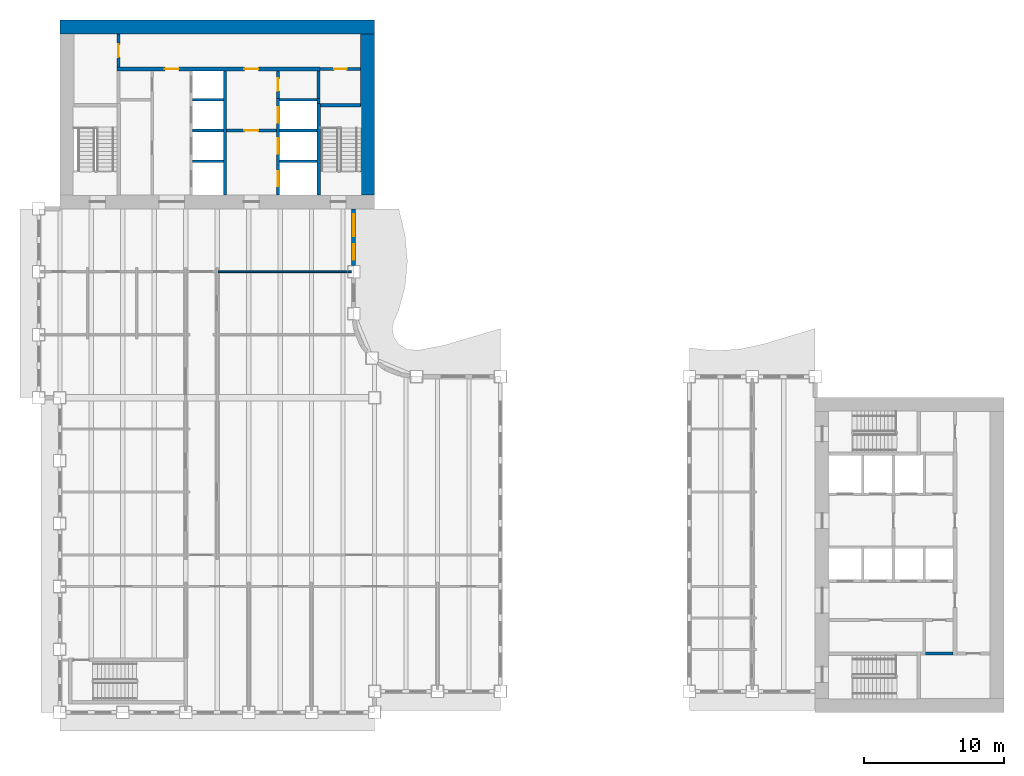
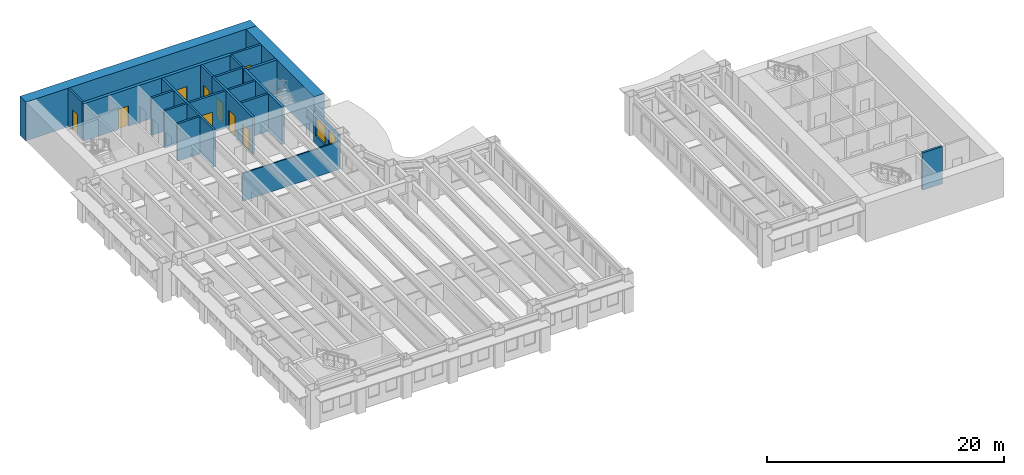
# One storey, part 8 of 13: 22 walls, 9 doors, 2 windows, 11 openings.
"""IFC4 building model written with IfcOpenShell, lengths in metres."""

from ifc_helpers import new_model, si_unit, direction, frame, frame_2d, origin, place, context, subcontext, project, spatial, rectangle, extrude, material, layer, layer_set, type_object, element, fill, save


model = new_model("IFC4")

# Units and contexts
model_context = context("Model", 3, precision=1e-05, world=origin(), true_north=direction((0.0, 1.0)))
body_context = subcontext(model_context, "Body", "Model", "MODEL_VIEW")
ifc_project = project(units=[si_unit("LENGTHUNIT", "METRE"), si_unit("AREAUNIT", "SQUARE_METRE"), si_unit("VOLUMEUNIT", "CUBIC_METRE"), si_unit("PLANEANGLEUNIT", "RADIAN"), si_unit("MASSUNIT", "GRAM", prefix="KILO")], contexts=[model_context])

# Site, building, storey
site_placement = place(None, origin())
site = spatial("IfcSite", under=ifc_project, at=site_placement, CompositionType="ELEMENT")
building_placement = place(site_placement, origin())
building = spatial("IfcBuilding", under=site, at=building_placement, Name="Sennacour Bend Tower", CompositionType="ELEMENT")
storey_placement = place(building_placement, frame((0.0, 0.0, 143.0)))
storey = spatial("IfcBuildingStorey", under=building, at=storey_placement, Name="L32", CompositionType="ELEMENT", Elevation=143.0)

# Walls
ifc_material_1 = material(Name="Concrete C60/75", Category="concrete")
ifc_layer_1 = layer(ifc_material_1, 1.0, Name="Concrete C60/75", Category="concrete")
ifc_layer_set_1 = layer_set([ifc_layer_1], Name="Concrete C60/75")
wall_type_1 = type_object("IfcWallType", Name="Core wall 1000 C60/75", PredefinedType="SHEAR", material=ifc_layer_set_1)
wall_1_placement = place(storey_placement, frame((0.0, 49.0, -0.14990234375), z_axis=(0.0, 0.0, 1.0), x_axis=(1.0, 0.0, 0.0)))
element("IfcWall", 1, at=wall_1_placement, inside=storey, type_object=wall_type_1, Name="Core B wall L32 N", PredefinedType="SHEAR", context=body_context, shape_type="SweptSolid", body=[
    extrude(rectangle(XDim=22.5, YDim=1.0, at=frame_2d((11.25, 0.0))), origin(), (0.0, 0.0, 1.0), 4.0),
])
wall_2_placement = place(storey_placement, frame((22.0, 37.0, -0.14990234375), z_axis=(0.0, 0.0, 1.0), x_axis=(0.0, 1.0, 0.0)))
element("IfcWall", 2, at=wall_2_placement, inside=storey, type_object=wall_type_1, Name="Core B wall L32 E", PredefinedType="SHEAR", context=body_context, shape_type="SweptSolid", body=[
    extrude(rectangle(XDim=11.5, YDim=1.0, at=frame_2d((5.75, 0.0))), origin(), (0.0, 0.0, 1.0), 4.0),
])
ifc_material_2 = material(Name="Plasterboard partition on steel studs", Category="steel")
ifc_layer_2 = layer(ifc_material_2, 0.1201171875, Name="Plasterboard partition on steel studs", Category="steel")
ifc_layer_set_2 = layer_set([ifc_layer_2], Name="Plasterboard partition on steel studs")
wall_type_2 = type_object("IfcWallType", Name="Partition 120", PredefinedType="PARTITIONING", material=ifc_layer_set_2)
wall_3_placement = place(storey_placement, frame((11.31005859375, 31.5, 0.0), z_axis=(0.0, 0.0, 1.0), x_axis=(1.0, 0.0, 0.0)))
element("IfcWall", 3, at=wall_3_placement, inside=storey, type_object=wall_type_2, Name="P-L32-W069ae", PredefinedType="PARTITIONING", context=body_context, shape_type="SweptSolid", body=[
    extrude(rectangle(XDim=9.5400390625, YDim=0.1201171875, at=frame_2d((4.77001953125, 0.0))), origin(), (0.0, 0.0, 1.0), 2.8701171875),
])

# Wall, opening, door
ifc_material_3 = material(Name="Fire-rated plasterboard partition on steel studs", Category="steel")
ifc_layer_3 = layer(ifc_material_3, 0.199951171875, Name="Fire-rated plasterboard partition on steel studs", Category="steel")
ifc_layer_set_3 = layer_set([ifc_layer_3], Name="Fire-rated plasterboard partition on steel studs")
wall_type_3 = type_object("IfcWallType", Name="Rated partition 200", PredefinedType="PARTITIONING", material=ifc_layer_set_3)
wall_4_placement = place(storey_placement, frame((4.199951171875, 46.14990234375, 0.0), z_axis=(0.0, 0.0, 1.0), x_axis=(0.0, 1.0, 0.0)))
wall_4 = element("IfcWall", 4, at=wall_4_placement, inside=storey, type_object=wall_type_3, Name="P-L32-W006b", PredefinedType="PARTITIONING", context=body_context, shape_type="SweptSolid", body=[
    extrude(rectangle(XDim=2.35009765625, YDim=0.199951171875, at=frame_2d((1.175048828125, 0.0))), origin(), (0.0, 0.0, 1.0), 3.85009765625),
])
opening_1_placement = place(wall_4_placement, frame((0.7001953125, 0.0, 0.0)))
opening_1 = element("IfcOpeningElement", 5, at=opening_1_placement, cuts=wall_4, Name="Opening SV", PredefinedType="OPENING", context=body_context, shape_type="SweptSolid", body=[
    extrude(rectangle(XDim=0.89990234375, YDim=2.10009765625, at=frame_2d((0.449951171875, 1.050048828125))), frame((0.0, 0.10986328125, 0.0), z_axis=(0.0, -1.0, 0.0), x_axis=(1.0, 0.0, 0.0)), (0.0, 0.0, 1.0), 0.219970703125),
])
ifc_material_4 = material(Name="Painted steel", Category="steel")
door_type_1 = type_object("IfcDoorType", Name="DR-SERVICE-900", OperationType="NOTDEFINED", PredefinedType="DOOR", material=ifc_material_4)
door_1_placement = place(opening_1_placement, origin())
door_1 = element("IfcDoor", 6, at=door_1_placement, inside=storey, type_object=door_type_1, Name="Door", OperationType="SINGLE_SWING_LEFT", OverallHeight=2.10009765625, OverallWidth=0.89990234375, PredefinedType="DOOR", context=body_context, shape_type="SweptSolid", body=[
    extrude(rectangle(XDim=0.89990234375, YDim=2.10009765625, at=frame_2d((0.449951171875, 1.050048828125))), frame((0.0, 0.02490234375, 0.0), z_axis=(0.0, -1.0, 0.0), x_axis=(1.0, 0.0, 0.0)), (0.0, 0.0, 1.0), 0.050048828125),
])
fill(opening_1, door_1)

wall_5_placement = place(storey_placement, frame((15.60009765625, 43.89990234375, 0.0), z_axis=(0.0, 0.0, 1.0), x_axis=(0.0, 1.0, 0.0)))
wall_5 = element("IfcWall", 7, at=wall_5_placement, inside=storey, type_object=wall_type_3, Name="P-L32-W018", PredefinedType="PARTITIONING", context=body_context, shape_type="SweptSolid", body=[
    extrude(rectangle(XDim=1.9501953125, YDim=0.199951171875, at=frame_2d((0.97509765625, 0.0))), origin(), (0.0, 0.0, 1.0), 3.85009765625),
])
opening_2_placement = place(wall_5_placement, frame((0.525146484375, 0.0, 0.0)))
opening_2 = element("IfcOpeningElement", 8, at=opening_2_placement, cuts=wall_5, Name="Opening SV", PredefinedType="OPENING", context=body_context, shape_type="SweptSolid", body=[
    extrude(rectangle(XDim=0.89990234375, YDim=2.10009765625, at=frame_2d((0.449951171875, 1.050048828125))), frame((0.0, 0.10986328125, 0.0), z_axis=(0.0, -1.0, 0.0), x_axis=(1.0, 0.0, 0.0)), (0.0, 0.0, 1.0), 0.219970703125),
])
door_2_placement = place(opening_2_placement, origin())
door_2 = element("IfcDoor", 9, at=door_2_placement, inside=storey, type_object=door_type_1, Name="Door", OperationType="SINGLE_SWING_RIGHT", OverallHeight=2.10009765625, OverallWidth=0.89990234375, PredefinedType="DOOR", context=body_context, shape_type="SweptSolid", body=[
    extrude(rectangle(XDim=0.89990234375, YDim=2.10009765625, at=frame_2d((0.449951171875, 1.050048828125))), frame((0.0, 0.02490234375, 0.0), z_axis=(0.0, -1.0, 0.0), x_axis=(1.0, 0.0, 0.0)), (0.0, 0.0, 1.0), 0.050048828125),
])
fill(opening_2, door_2)

# Walls
for number, where, z_axis, x_axis, name in (
    (10, (18.5, 43.89990234375, 0.0), (0.0, 0.0, 1.0), (0.0, 1.0, 0.0), "P-L32-W022"),
    (11, (61.89990234375, 4.199951171875, 0.0), (0.0, 0.0, 1.0), (1.0, 0.0, 0.0), "P-L32-W047b"),
):
    element("IfcWall", number, at=place(storey_placement, frame(where, z_axis=z_axis, x_axis=x_axis)), inside=storey, type_object=wall_type_3, Name=name, PredefinedType="PARTITIONING", context=body_context, shape_type="SweptSolid", body=[
        extrude(rectangle(XDim=1.9501953125, YDim=0.199951171875, at=frame_2d((0.97509765625, 0.0))), origin(), (0.0, 0.0, 1.0), 3.85009765625),
    ])

# Wall, opening, door
wall_6_placement = place(storey_placement, frame((18.60009765625, 46.0, 0.0), z_axis=(0.0, 0.0, 1.0), x_axis=(1.0, 0.0, 0.0)))
wall_6 = element("IfcWall", 12, at=wall_6_placement, inside=storey, type_object=wall_type_3, Name="P-L32-W082", PredefinedType="PARTITIONING", context=body_context, shape_type="SweptSolid", body=[
    extrude(rectangle(XDim=2.89990234375, YDim=0.199951171875, at=frame_2d((1.449951171875, 0.0))), origin(), (0.0, 0.0, 1.0), 3.85009765625),
])
opening_3_placement = place(wall_6_placement, frame((1.0, 0.0, 0.0)))
opening_3 = element("IfcOpeningElement", 13, at=opening_3_placement, cuts=wall_6, Name="Opening SV", PredefinedType="OPENING", context=body_context, shape_type="SweptSolid", body=[
    extrude(rectangle(XDim=0.89990234375, YDim=2.10009765625, at=frame_2d((0.449951171875, 1.050048828125))), frame((0.0, 0.10986328125, 0.0), z_axis=(0.0, -1.0, 0.0), x_axis=(1.0, 0.0, 0.0)), (0.0, 0.0, 1.0), 0.219970703125),
])
door_3_placement = place(opening_3_placement, origin())
door_3 = element("IfcDoor", 14, at=door_3_placement, inside=storey, type_object=door_type_1, Name="Door", OperationType="SINGLE_SWING_LEFT", OverallHeight=2.10009765625, OverallWidth=0.89990234375, PredefinedType="DOOR", context=body_context, shape_type="SweptSolid", body=[
    extrude(rectangle(XDim=0.89990234375, YDim=2.10009765625, at=frame_2d((0.449951171875, 1.050048828125))), frame((0.0, 0.02490234375, 0.0), z_axis=(0.0, -1.0, 0.0), x_axis=(1.0, 0.0, 0.0)), (0.0, 0.0, 1.0), 0.050048828125),
])
fill(opening_3, door_3)

ifc_layer_4 = layer(ifc_material_3, 0.199951171875, Name="Fire-rated plasterboard partition on steel studs", Category="steel")
ifc_layer_set_4 = layer_set([ifc_layer_4], Name="Fire-rated plasterboard partition on steel studs")
wall_type_4 = type_object("IfcWallType", Name="Rated partition 200 EI 90", PredefinedType="PARTITIONING", material=ifc_layer_set_4)
wall_7_placement = place(storey_placement, frame((11.89990234375, 41.60009765625, 0.0), z_axis=(0.0, 0.0, 1.0), x_axis=(1.0, 0.0, 0.0)))
wall_7 = element("IfcWall", 15, at=wall_7_placement, inside=storey, type_object=wall_type_4, Name="P-L32-W074", PredefinedType="PARTITIONING", context=body_context, shape_type="SweptSolid", body=[
    extrude(rectangle(XDim=3.60009765625, YDim=0.199951171875, at=frame_2d((1.800048828125, 0.0))), origin(), (0.0, 0.0, 1.0), 3.85009765625),
])
opening_4_placement = place(wall_7_placement, frame((1.300048828125, 0.0, 0.0)))
opening_4 = element("IfcOpeningElement", 16, at=opening_4_placement, cuts=wall_7, Name="Opening FD2", PredefinedType="OPENING", context=body_context, shape_type="SweptSolid", body=[
    extrude(rectangle(XDim=1.0, YDim=2.10009765625, at=frame_2d((0.5, 1.050048828125))), frame((0.0, 0.10986328125, 0.0), z_axis=(0.0, -1.0, 0.0), x_axis=(1.0, 0.0, 0.0)), (0.0, 0.0, 1.0), 0.219970703125),
])
door_type_2 = type_object("IfcDoorType", Name="DR-FFL-1000", OperationType="NOTDEFINED", PredefinedType="DOOR", material=ifc_material_4)
door_4_placement = place(opening_4_placement, origin())
door_4 = element("IfcDoor", 17, at=door_4_placement, inside=storey, type_object=door_type_2, Name="Door", OperationType="SINGLE_SWING_RIGHT", OverallHeight=2.10009765625, OverallWidth=1.0, PredefinedType="DOOR", context=body_context, shape_type="SweptSolid", body=[
    extrude(rectangle(XDim=1.0, YDim=2.10009765625, at=frame_2d((0.5, 1.050048828125))), frame((0.0, 0.02490234375, 0.0), z_axis=(0.0, -1.0, 0.0), x_axis=(1.0, 0.0, 0.0)), (0.0, 0.0, 1.0), 0.050048828125),
])
fill(opening_4, door_4)

# Wall, openings, windows
ifc_material_5 = material(Name="Warm limestone cladding", Category="masonry")
ifc_layer_5 = layer(ifc_material_5, 0.050048828125, Name="Warm limestone cladding", Category="masonry")
ifc_material_6 = material(Name="Precast concrete C40/50", Category="concrete")
ifc_layer_6 = layer(ifc_material_6, 0.25, Name="Precast concrete C40/50", Category="concrete")
ifc_layer_set_5 = layer_set([ifc_layer_5, ifc_layer_6], Name="Precast concrete C40/50 with limestone cladding")
wall_type_5 = type_object("IfcWallType", Name="STONE-CLAD PRECAST SPANDREL 300", PredefinedType="STANDARD", material=ifc_layer_set_5)
wall_8_placement = place(storey_placement, frame((21.0, 31.949951171875, 0.0), z_axis=(0.0, 0.0, 1.0), x_axis=(0.0, 1.0, 0.0)))
wall_8 = element("IfcWall", 18, at=wall_8_placement, inside=storey, type_object=wall_type_5, Name="Stone spandrel and pier wall L32 15.01", PredefinedType="STANDARD", context=body_context, shape_type="SweptSolid", body=[
    extrude(rectangle(XDim=4.050048828125, YDim=0.300048828125, at=frame_2d((2.02490234375, 0.0))), origin(), (0.0, 0.0, 1.0), 3.14892578125),
])
opening_5_placement = place(wall_8_placement, frame((0.39990234375, 0.0, 0.89990234375)))
opening_5 = element("IfcOpeningElement", 19, at=opening_5_placement, cuts=wall_8, Name="Opening W19", PredefinedType="OPENING", context=body_context, shape_type="SweptSolid", body=[
    extrude(rectangle(XDim=1.10009765625, YDim=2.0, at=frame_2d((0.550048828125, 1.0))), frame((0.0, 0.16015625, 0.0), z_axis=(0.0, -1.0, 0.0), x_axis=(1.0, 0.0, 0.0)), (0.0, 0.0, 1.0), 0.320068359375),
])
opening_6_placement = place(wall_8_placement, frame((2.10009765625, 0.0, 0.89990234375)))
opening_6 = element("IfcOpeningElement", 20, at=opening_6_placement, cuts=wall_8, Name="Opening W9", PredefinedType="OPENING", context=body_context, shape_type="SweptSolid", body=[
    extrude(rectangle(XDim=1.550048828125, YDim=2.0, at=frame_2d((0.77490234375, 1.0))), frame((0.0, 0.16015625, 0.0), z_axis=(0.0, -1.0, 0.0), x_axis=(1.0, 0.0, 0.0)), (0.0, 0.0, 1.0), 0.320068359375),
])
ifc_material_7 = material(Name="Clear low-emissivity glass", Category="glass")
window_type_1 = type_object("IfcWindowType", Name="WIN-RIBBON-1100x2000", PartitioningType="SINGLE_PANEL", PredefinedType="WINDOW", material=ifc_material_7)
window_1_placement = place(opening_5_placement, origin())
window_1 = element("IfcWindow", 21, at=window_1_placement, inside=storey, type_object=window_type_1, Name="Ribbon window L32 15.01.0", OverallHeight=2.0, OverallWidth=1.10009765625, PartitioningType="SINGLE_PANEL", PredefinedType="WINDOW", context=body_context, shape_type="SweptSolid", body=[
    extrude(rectangle(XDim=1.10009765625, YDim=2.0, at=frame_2d((0.550048828125, 1.0))), frame((0.0, 0.030029296875, 0.0), z_axis=(0.0, -1.0, 0.0), x_axis=(1.0, 0.0, 0.0)), (0.0, 0.0, 1.0), 0.06005859375),
])
fill(opening_5, window_1)
window_type_2 = type_object("IfcWindowType", Name="WIN-RIBBON-1550x2000", PartitioningType="SINGLE_PANEL", PredefinedType="WINDOW", material=ifc_material_7)
window_2_placement = place(opening_6_placement, origin())
window_2 = element("IfcWindow", 22, at=window_2_placement, inside=storey, type_object=window_type_2, Name="Ribbon window L32 15.01.1", OverallHeight=2.0, OverallWidth=1.550048828125, PartitioningType="SINGLE_PANEL", PredefinedType="WINDOW", context=body_context, shape_type="SweptSolid", body=[
    extrude(rectangle(XDim=1.550048828125, YDim=2.0, at=frame_2d((0.77490234375, 1.0))), frame((0.0, 0.030029296875, 0.0), z_axis=(0.0, -1.0, 0.0), x_axis=(1.0, 0.0, 0.0)), (0.0, 0.0, 1.0), 0.06005859375),
])
fill(opening_6, window_2)

# Wall
ifc_material_8 = material(Name="Concrete C50/60", Category="concrete")
ifc_layer_7 = layer(ifc_material_8, 0.199951171875, Name="Concrete C50/60", Category="concrete")
ifc_layer_set_6 = layer_set([ifc_layer_7], Name="Concrete C50/60")
wall_type_6 = type_object("IfcWallType", Name="Shaft wall 200", PredefinedType="SOLIDWALL", material=ifc_layer_set_6)
wall_9_placement = place(storey_placement, frame((11.800048828125, 37.0, 0.0), z_axis=(0.0, 0.0, 1.0), x_axis=(0.0, 1.0, 0.0)))
element("IfcWall", 23, at=wall_9_placement, inside=storey, type_object=wall_type_6, Name="P-L32-W015", PredefinedType="SOLIDWALL", context=body_context, shape_type="SweptSolid", body=[
    extrude(rectangle(XDim=8.85009765625, YDim=0.199951171875, at=frame_2d((4.425048828125, 0.0))), origin(), (0.0, 0.0, 1.0), 3.85009765625),
])

# Wall, openings, doors
wall_10_placement = place(storey_placement, frame((15.60009765625, 37.0, 0.0), z_axis=(0.0, 0.0, 1.0), x_axis=(0.0, 1.0, 0.0)))
wall_10 = element("IfcWall", 24, at=wall_10_placement, inside=storey, type_object=wall_type_6, Name="P-L32-W017", PredefinedType="SOLIDWALL", context=body_context, shape_type="SweptSolid", body=[
    extrude(rectangle(XDim=6.89990234375, YDim=0.199951171875, at=frame_2d((3.449951171875, 0.0))), origin(), (0.0, 0.0, 1.0), 3.85009765625),
])
opening_7_placement = place(wall_10_placement, frame((0.60009765625, 0.0, 0.011962890625)))
opening_7 = element("IfcOpeningElement", 25, at=opening_7_placement, cuts=wall_10, Name="Opening FLD", PredefinedType="OPENING", context=body_context, shape_type="SweptSolid", body=[
    extrude(rectangle(XDim=1.10009765625, YDim=2.10009765625, at=frame_2d((0.550048828125, 1.050048828125))), frame((0.0, 0.10986328125, 0.0), z_axis=(0.0, -1.0, 0.0), x_axis=(1.0, 0.0, 0.0)), (0.0, 0.0, 1.0), 0.219970703125),
])
opening_8_placement = place(wall_10_placement, frame((2.949951171875, 0.0, 0.011962890625)))
opening_8 = element("IfcOpeningElement", 26, at=opening_8_placement, cuts=wall_10, Name="Opening FLD", PredefinedType="OPENING", context=body_context, shape_type="SweptSolid", body=[
    extrude(rectangle(XDim=1.10009765625, YDim=2.10009765625, at=frame_2d((0.550048828125, 1.050048828125))), frame((0.0, 0.10986328125, 0.0), z_axis=(0.0, -1.0, 0.0), x_axis=(1.0, 0.0, 0.0)), (0.0, 0.0, 1.0), 0.219970703125),
])
opening_9_placement = place(wall_10_placement, frame((5.14990234375, 0.0, 0.011962890625)))
opening_9 = element("IfcOpeningElement", 27, at=opening_9_placement, cuts=wall_10, Name="Opening LD", PredefinedType="OPENING", context=body_context, shape_type="SweptSolid", body=[
    extrude(rectangle(XDim=1.10009765625, YDim=2.10009765625, at=frame_2d((0.550048828125, 1.050048828125))), frame((0.0, 0.10986328125, 0.0), z_axis=(0.0, -1.0, 0.0), x_axis=(1.0, 0.0, 0.0)), (0.0, 0.0, 1.0), 0.219970703125),
])
ifc_material_9 = material(Name="Stainless steel", Category="steel")
door_type_3 = type_object("IfcDoorType", Name="DR-FF-LANDING-1100", OperationType="NOTDEFINED", PredefinedType="DOOR", material=ifc_material_9)
door_5_placement = place(opening_7_placement, origin())
door_5 = element("IfcDoor", 28, at=door_5_placement, inside=storey, type_object=door_type_3, Name="Fire service lift landing door FB1", OperationType="SLIDING_TO_RIGHT", OverallHeight=2.10009765625, OverallWidth=1.10009765625, PredefinedType="DOOR", context=body_context, shape_type="SweptSolid", body=[
    extrude(rectangle(XDim=1.10009765625, YDim=2.10009765625, at=frame_2d((0.550048828125, 1.050048828125))), frame((0.0, 0.02490234375, 0.0), z_axis=(0.0, -1.0, 0.0), x_axis=(1.0, 0.0, 0.0)), (0.0, 0.0, 1.0), 0.050048828125),
])
fill(opening_7, door_5)
door_6_placement = place(opening_8_placement, origin())
door_6 = element("IfcDoor", 29, at=door_6_placement, inside=storey, type_object=door_type_3, Name="Fire service lift landing door FB2", OperationType="SLIDING_TO_LEFT", OverallHeight=2.10009765625, OverallWidth=1.10009765625, PredefinedType="DOOR", context=body_context, shape_type="SweptSolid", body=[
    extrude(rectangle(XDim=1.10009765625, YDim=2.10009765625, at=frame_2d((0.550048828125, 1.050048828125))), frame((0.0, 0.02490234375, 0.0), z_axis=(0.0, -1.0, 0.0), x_axis=(1.0, 0.0, 0.0)), (0.0, 0.0, 1.0), 0.050048828125),
])
fill(opening_8, door_6)
door_type_4 = type_object("IfcDoorType", Name="DR-LANDING-1100", OperationType="NOTDEFINED", PredefinedType="DOOR", material=ifc_material_9)
door_7_placement = place(opening_9_placement, origin())
door_7 = element("IfcDoor", 30, at=door_7_placement, inside=storey, type_object=door_type_4, Name="Lift landing door MB5", OperationType="SLIDING_TO_RIGHT", OverallHeight=2.10009765625, OverallWidth=1.10009765625, PredefinedType="DOOR", context=body_context, shape_type="SweptSolid", body=[
    extrude(rectangle(XDim=1.10009765625, YDim=2.10009765625, at=frame_2d((0.550048828125, 1.050048828125))), frame((0.0, 0.02490234375, 0.0), z_axis=(0.0, -1.0, 0.0), x_axis=(1.0, 0.0, 0.0)), (0.0, 0.0, 1.0), 0.050048828125),
])
fill(opening_9, door_7)

# Walls
wall_11_placement = place(storey_placement, frame((18.5, 43.52490234375, 0.0), z_axis=(0.0, 0.0, 1.0), x_axis=(0.0, 1.0, 0.0)))
element("IfcWall", 31, at=wall_11_placement, inside=storey, type_object=wall_type_6, Name="P-L32-W021", PredefinedType="SOLIDWALL", context=body_context, shape_type="SweptSolid", body=[
    extrude(rectangle(XDim=0.375, YDim=0.199951171875, at=frame_2d((0.1875, 0.0))), origin(), (0.0, 0.0, 1.0), 3.85009765625),
])
wall_12_placement = place(storey_placement, frame((9.5, 39.39990234375, 0.0), z_axis=(0.0, 0.0, 1.0), x_axis=(1.0, 0.0, 0.0)))
element("IfcWall", 32, at=wall_12_placement, inside=storey, type_object=wall_type_6, Name="P-L32-W071", PredefinedType="SOLIDWALL", context=body_context, shape_type="SweptSolid", body=[
    extrude(rectangle(XDim=2.199951171875, YDim=0.199951171875, at=frame_2d((1.10009765625, 0.0))), origin(), (0.0, 0.0, 1.0), 3.85009765625),
])
wall_13_placement = place(storey_placement, frame((15.699951171875, 39.39990234375, 0.0), z_axis=(0.0, 0.0, 1.0), x_axis=(1.0, 0.0, 0.0)))
element("IfcWall", 33, at=wall_13_placement, inside=storey, type_object=wall_type_6, Name="P-L32-W072", PredefinedType="SOLIDWALL", context=body_context, shape_type="SweptSolid", body=[
    extrude(rectangle(XDim=2.675048828125, YDim=0.199951171875, at=frame_2d((1.33740234375, 0.0))), origin(), (0.0, 0.0, 1.0), 3.85009765625),
])
wall_14_placement = place(storey_placement, frame((9.5, 41.60009765625, 0.0), z_axis=(0.0, 0.0, 1.0), x_axis=(1.0, 0.0, 0.0)))
element("IfcWall", 34, at=wall_14_placement, inside=storey, type_object=wall_type_6, Name="P-L32-W073", PredefinedType="SOLIDWALL", context=body_context, shape_type="SweptSolid", body=[
    extrude(rectangle(XDim=2.199951171875, YDim=0.199951171875, at=frame_2d((1.10009765625, 0.0))), origin(), (0.0, 0.0, 1.0), 3.85009765625),
])
wall_15_placement = place(storey_placement, frame((15.699951171875, 41.60009765625, 0.0), z_axis=(0.0, 0.0, 1.0), x_axis=(1.0, 0.0, 0.0)))
element("IfcWall", 35, at=wall_15_placement, inside=storey, type_object=wall_type_6, Name="P-L32-W075", PredefinedType="SOLIDWALL", context=body_context, shape_type="SweptSolid", body=[
    extrude(rectangle(XDim=2.675048828125, YDim=0.199951171875, at=frame_2d((1.33740234375, 0.0))), origin(), (0.0, 0.0, 1.0), 3.85009765625),
])
wall_16_placement = place(storey_placement, frame((9.5, 43.800048828125, 0.0), z_axis=(0.0, 0.0, 1.0), x_axis=(1.0, 0.0, 0.0)))
element("IfcWall", 36, at=wall_16_placement, inside=storey, type_object=wall_type_6, Name="P-L32-W079", PredefinedType="SOLIDWALL", context=body_context, shape_type="SweptSolid", body=[
    extrude(rectangle(XDim=2.199951171875, YDim=0.199951171875, at=frame_2d((1.10009765625, 0.0))), origin(), (0.0, 0.0, 1.0), 3.85009765625),
])
wall_17_placement = place(storey_placement, frame((15.699951171875, 43.800048828125, 0.0), z_axis=(0.0, 0.0, 1.0), x_axis=(1.0, 0.0, 0.0)))
element("IfcWall", 37, at=wall_17_placement, inside=storey, type_object=wall_type_6, Name="P-L32-W080", PredefinedType="SOLIDWALL", context=body_context, shape_type="SweptSolid", body=[
    extrude(rectangle(XDim=2.699951171875, YDim=0.199951171875, at=frame_2d((1.35009765625, 0.0))), origin(), (0.0, 0.0, 1.0), 3.85009765625),
])

# Wall, openings, doors
ifc_layer_8 = layer(ifc_material_1, 0.300048828125, Name="Concrete C60/75", Category="concrete")
ifc_layer_set_7 = layer_set([ifc_layer_8], Name="Concrete C60/75")
wall_type_7 = type_object("IfcWallType", Name="Spine wall 300", PredefinedType="SHEAR", material=ifc_layer_set_7)
wall_18_placement = place(storey_placement, frame((4.10009765625, 46.0, 0.0), z_axis=(0.0, 0.0, 1.0), x_axis=(1.0, 0.0, 0.0)))
wall_18 = element("IfcWall", 38, at=wall_18_placement, inside=storey, type_object=wall_type_7, Name="P-L32-W081", PredefinedType="SHEAR", context=body_context, shape_type="SweptSolid", body=[
    extrude(rectangle(XDim=14.5, YDim=0.300048828125, at=frame_2d((7.25, 0.0))), origin(), (0.0, 0.0, 1.0), 3.85009765625),
])
opening_10_placement = place(wall_18_placement, frame((3.39990234375, 0.0, 0.0)))
opening_10 = element("IfcOpeningElement", 39, at=opening_10_placement, cuts=wall_18, Name="Opening CD2", PredefinedType="OPENING", context=body_context, shape_type="SweptSolid", body=[
    extrude(rectangle(XDim=1.0, YDim=2.10009765625, at=frame_2d((0.5, 1.050048828125))), frame((0.0, 0.16015625, 0.0), z_axis=(0.0, -1.0, 0.0), x_axis=(1.0, 0.0, 0.0)), (0.0, 0.0, 1.0), 0.320068359375),
])
opening_11_placement = place(wall_18_placement, frame((9.099853515625, 0.0, 0.0)))
opening_11 = element("IfcOpeningElement", 40, at=opening_11_placement, cuts=wall_18, Name="Opening CD2", PredefinedType="OPENING", context=body_context, shape_type="SweptSolid", body=[
    extrude(rectangle(XDim=1.0, YDim=2.10009765625, at=frame_2d((0.5, 1.050048828125))), frame((0.0, 0.16015625, 0.0), z_axis=(0.0, -1.0, 0.0), x_axis=(1.0, 0.0, 0.0)), (0.0, 0.0, 1.0), 0.320068359375),
])
door_type_5 = type_object("IfcDoorType", Name="DR-LOBBY-1000", OperationType="NOTDEFINED", PredefinedType="DOOR", material=ifc_material_4)
door_8_placement = place(opening_10_placement, origin())
door_8 = element("IfcDoor", 41, at=door_8_placement, inside=storey, type_object=door_type_5, Name="Door", OperationType="SINGLE_SWING_LEFT", OverallHeight=2.10009765625, OverallWidth=1.0, PredefinedType="DOOR", context=body_context, shape_type="SweptSolid", body=[
    extrude(rectangle(XDim=1.0, YDim=2.10009765625, at=frame_2d((0.5, 1.050048828125))), frame((0.0, 0.02490234375, 0.0), z_axis=(0.0, -1.0, 0.0), x_axis=(1.0, 0.0, 0.0)), (0.0, 0.0, 1.0), 0.050048828125),
])
fill(opening_10, door_8)
door_9_placement = place(opening_11_placement, origin())
door_9 = element("IfcDoor", 42, at=door_9_placement, inside=storey, type_object=door_type_5, Name="Door", OperationType="SINGLE_SWING_RIGHT", OverallHeight=2.10009765625, OverallWidth=1.0, PredefinedType="DOOR", context=body_context, shape_type="SweptSolid", body=[
    extrude(rectangle(XDim=1.0, YDim=2.10009765625, at=frame_2d((0.5, 1.050048828125))), frame((0.0, 0.02490234375, 0.0), z_axis=(0.0, -1.0, 0.0), x_axis=(1.0, 0.0, 0.0)), (0.0, 0.0, 1.0), 0.050048828125),
])
fill(opening_11, door_9)

# Walls
ifc_layer_9 = layer(ifc_material_1, 0.25, Name="Concrete C60/75", Category="concrete")
ifc_layer_set_8 = layer_set([ifc_layer_9], Name="Concrete C60/75")
wall_type_8 = type_object("IfcWallType", Name="Stair wall 250", PredefinedType="SHEAR", material=ifc_layer_set_8)
wall_19_placement = place(storey_placement, frame((18.5, 37.0, 0.0), z_axis=(0.0, 0.0, 1.0), x_axis=(0.0, 1.0, 0.0)))
element("IfcWall", 43, at=wall_19_placement, inside=storey, type_object=wall_type_8, Name="P-L32-W020", PredefinedType="SHEAR", context=body_context, shape_type="SweptSolid", body=[
    extrude(rectangle(XDim=6.52490234375, YDim=0.25, at=frame_2d((3.262451171875, 0.0))), origin(), (0.0, 0.0, 1.0), 3.85009765625),
])
wall_20_placement = place(storey_placement, frame((18.625, 43.39990234375, 0.0), z_axis=(0.0, 0.0, 1.0), x_axis=(1.0, 0.0, 0.0)))
element("IfcWall", 44, at=wall_20_placement, inside=storey, type_object=wall_type_8, Name="P-L32-W077", PredefinedType="SHEAR", context=body_context, shape_type="SweptSolid", body=[
    extrude(rectangle(XDim=2.875, YDim=0.25, at=frame_2d((1.4375, 0.0))), origin(), (0.0, 0.0, 1.0), 3.85009765625),
])

save(model, "model.ifc")
